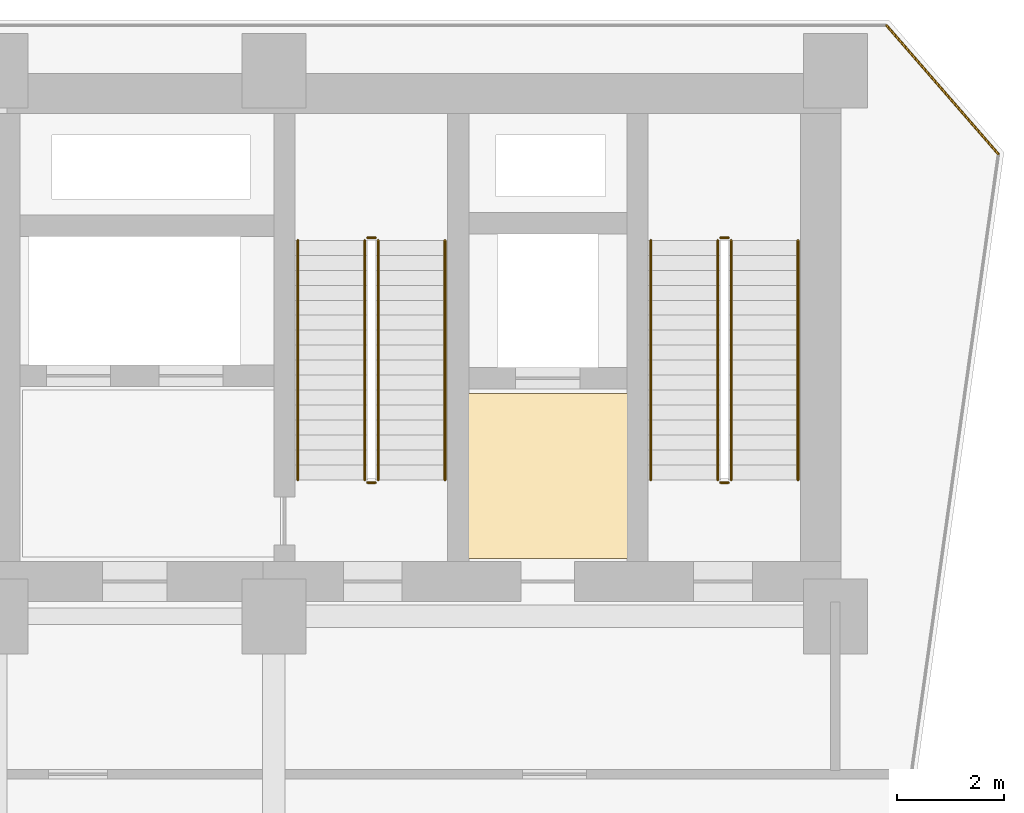
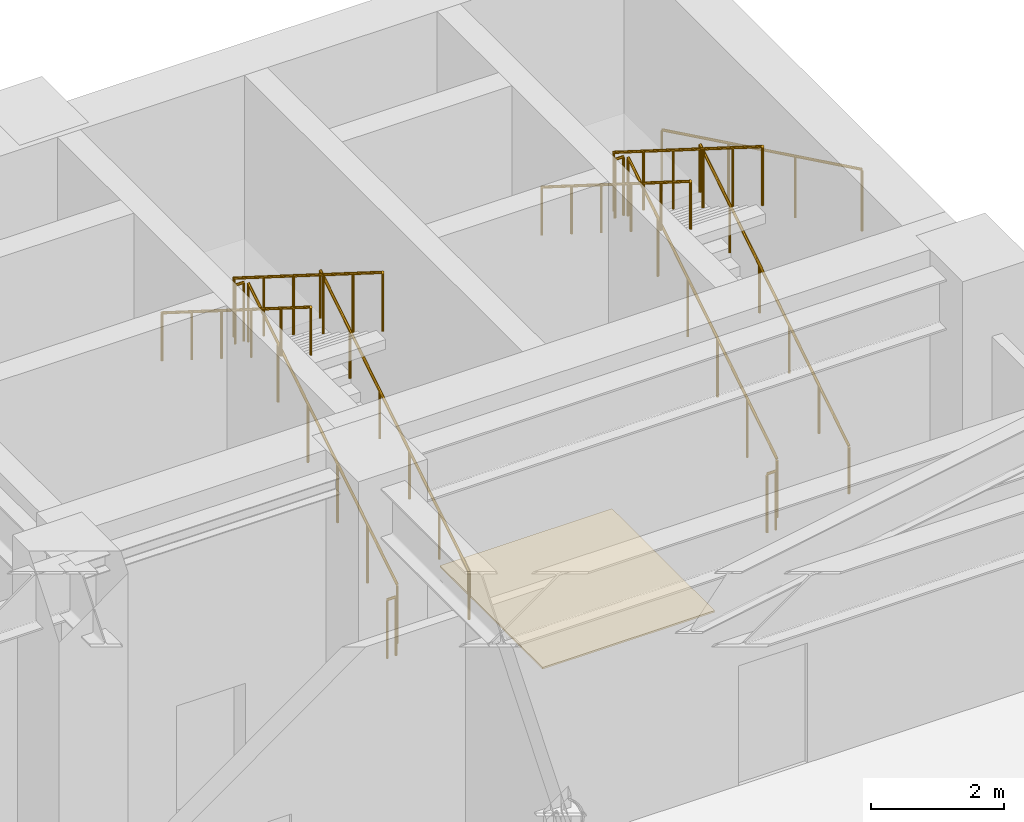
# One storey, part 12 of 12: 13 railings, 1 covering.
"""IFC4 building model written with IfcOpenShell, lengths in metres."""

from ifc_helpers import new_model, si_unit, direction, frame, origin, origin_2d, place, context, subcontext, project, spatial, polyline, circle, outline, extrude, material, layer, layer_set, type_object, element, save


model = new_model("IFC4")

# Units and contexts
model_context = context("Model", 3, precision=1e-05, world=origin(), true_north=direction((0.0, 1.0)))
body_context = subcontext(model_context, "Body", "Model", "MODEL_VIEW")
ifc_project = project(units=[si_unit("LENGTHUNIT", "METRE"), si_unit("AREAUNIT", "SQUARE_METRE"), si_unit("VOLUMEUNIT", "CUBIC_METRE"), si_unit("PLANEANGLEUNIT", "RADIAN"), si_unit("MASSUNIT", "GRAM", prefix="KILO")], contexts=[model_context])

# Site, building, storey
site_placement = place(None, origin())
site = spatial("IfcSite", under=ifc_project, at=site_placement, CompositionType="ELEMENT")
building_placement = place(site_placement, origin())
building = spatial("IfcBuilding", under=site, at=building_placement, Name="Kravanh Interchange Tower", CompositionType="ELEMENT")
storey_placement = place(building_placement, frame((0.0, 0.0, 85.5)))
storey = spatial("IfcBuildingStorey", under=building, at=storey_placement, Name="L20", CompositionType="ELEMENT", Elevation=85.5)

# Covering
ifc_material_1 = material(Name="Cementitious Terrazzo Tile")
ifc_layer_1 = layer(ifc_material_1, 0.030029296875)
ifc_layer_set_1 = layer_set([ifc_layer_1], Name="Honed Terrazzo Lobby Flooring 30mm")
covering_type = type_object("IfcCoveringType", Name="Honed Terrazzo Lobby Flooring 30mm", PredefinedType="FLOORING", material=ifc_layer_set_1)
covering_placement = place(storey_placement, origin())
element("IfcCovering", 1, at=covering_placement, inside=storey, type_object=covering_type, Name="L20 Service Lift Lobby Floor Finish", PredefinedType="FLOORING", context=body_context, shape_type="SweptSolid", body=[
    extrude(outline(polyline([(59.6298828125, 41.52001953125), (62.6201171875, 41.52001953125), (62.6201171875, 38.429931640625), (59.6298828125, 38.429931640625), (59.6298828125, 41.52001953125)])), origin(), (0.0, 0.0, 1.0), 0.030029296875),
])

# Railings
ifc_material_2 = material(Name="Structural Steel S355", Category="steel")
ifc_layer_2 = layer(ifc_material_2, 0.050048828125)
ifc_layer_set_2 = layer_set([ifc_layer_2], Name="Stair Well Guardrail Structural Steel S355 1100mm")
railing_type_1 = type_object("IfcRailingType", Name="Stair Well Guardrail Structural Steel S355 1100mm", PredefinedType="GUARDRAIL", material=ifc_layer_set_2)
railing_1_placement = place(storey_placement, frame((64.550048828125, 39.89990234375, 0.176513671875)))
element("IfcRailing", 2, at=railing_1_placement, inside=storey, type_object=railing_type_1, Name="L20 ST1 stair guard 1", PredefinedType="GUARDRAIL", context=body_context, shape_type="SweptSolid", body=[
    extrude(circle(Radius=0.02392578125, at=origin_2d()), frame((0.0, 0.0, 1.076171875), z_axis=(0.0, 0.845997938375, 0.533186166611), x_axis=(-1.0, 0.0, 0.0)), (0.0, 0.0, 1.0), 5.29541015625),
    extrude(circle(Radius=0.02099609375, at=origin_2d()), origin(), (0.0, 0.0, 1.0), 1.052001953125),
    extrude(circle(Radius=0.02099609375, at=origin_2d()), frame((0.0, 0.89599609375, 0.564697265625)), (0.0, 0.0, 1.0), 1.052001953125),
    extrude(circle(Radius=0.02099609375, at=origin_2d()), frame((0.0, 1.7919921875, 1.12939453125)), (0.0, 0.0, 1.0), 1.052001953125),
    extrude(circle(Radius=0.02099609375, at=origin_2d()), frame((0.0, 2.68798828125, 1.694091796875)), (0.0, 0.0, 1.0), 1.052001953125),
    extrude(circle(Radius=0.02099609375, at=origin_2d()), frame((0.0, 3.583984375, 2.2587890625)), (0.0, 0.0, 1.0), 1.052001953125),
    extrude(circle(Radius=0.02099609375, at=origin_2d()), frame((0.0, 4.47998046875, 2.823486328125)), (0.0, 0.0, 1.0), 1.052001953125),
])
railing_2_placement = place(storey_placement, frame((64.5, 44.429931640625, 3.0)))
element("IfcRailing", 3, at=railing_2_placement, inside=storey, type_object=railing_type_1, Name="L20 ST1 stair guard 2", PredefinedType="GUARDRAIL", context=body_context, shape_type="SweptSolid", body=[
    extrude(circle(Radius=0.02392578125, at=origin_2d()), frame((0.0, 0.0, 1.076171875), z_axis=(-1.0, 0.0, 0.0), x_axis=(0.0, -1.0, 0.0)), (0.0, 0.0, 1.0), 0.14990234375),
    extrude(circle(Radius=0.02099609375, at=origin_2d()), origin(), (0.0, 0.0, 1.0), 1.052001953125),
    extrude(circle(Radius=0.02099609375, at=origin_2d()), frame((-0.14990234375, 0.0, 0.0)), (0.0, 0.0, 1.0), 1.052001953125),
])
railing_3_placement = place(storey_placement, frame((64.300048828125, 44.3798828125, 3.176513671875)))
element("IfcRailing", 4, at=railing_3_placement, inside=storey, type_object=railing_type_1, Name="L20 ST1 stair guard 3", PredefinedType="GUARDRAIL", context=body_context, shape_type="SweptSolid", body=[
    extrude(circle(Radius=0.02392578125, at=origin_2d()), frame((0.0, 0.0, 1.076171875), z_axis=(0.0, -0.845997938375, 0.533186166611), x_axis=(1.0, 0.0, 0.0)), (0.0, 0.0, 1.0), 5.29541015625),
    extrude(circle(Radius=0.02099609375, at=origin_2d()), origin(), (0.0, 0.0, 1.0), 1.052001953125),
    extrude(circle(Radius=0.02099609375, at=origin_2d()), frame((0.0, -0.89599609375, 0.564697265625)), (0.0, 0.0, 1.0), 1.052001953125),
    extrude(circle(Radius=0.02099609375, at=origin_2d()), frame((0.0, -1.7919921875, 1.12939453125)), (0.0, 0.0, 1.0), 1.052001953125),
    extrude(circle(Radius=0.02099609375, at=origin_2d()), frame((0.0, -2.68798828125, 1.694091796875)), (0.0, 0.0, 1.0), 1.052001953125),
    extrude(circle(Radius=0.02099609375, at=origin_2d()), frame((0.0, -3.583984375, 2.2587890625)), (0.0, 0.0, 1.0), 1.052001953125),
    extrude(circle(Radius=0.02099609375, at=origin_2d()), frame((0.0, -4.47998046875, 2.823486328125)), (0.0, 0.0, 1.0), 1.052001953125),
])
railing_4_placement = place(storey_placement, frame((64.5, 39.85009765625, 0.0)))
element("IfcRailing", 5, at=railing_4_placement, inside=storey, type_object=railing_type_1, Name="L20 ST1 stair guard 4", PredefinedType="GUARDRAIL", context=body_context, shape_type="SweptSolid", body=[
    extrude(circle(Radius=0.02392578125, at=origin_2d()), frame((0.0, 0.0, 1.076171875), z_axis=(-1.0, 0.0, 0.0), x_axis=(0.0, -1.0, 0.0)), (0.0, 0.0, 1.0), 0.14990234375),
    extrude(circle(Radius=0.02099609375, at=origin_2d()), origin(), (0.0, 0.0, 1.0), 1.052001953125),
    extrude(circle(Radius=0.02099609375, at=origin_2d()), frame((-0.14990234375, 0.0, 0.0)), (0.0, 0.0, 1.0), 1.052001953125),
])
railing_5_placement = place(storey_placement, frame((57.949951171875, 39.89990234375, 0.176513671875)))
element("IfcRailing", 6, at=railing_5_placement, inside=storey, type_object=railing_type_1, Name="L20 ST2 stair guard 1", PredefinedType="GUARDRAIL", context=body_context, shape_type="SweptSolid", body=[
    extrude(circle(Radius=0.02392578125, at=origin_2d()), frame((0.0, 0.0, 1.076171875), z_axis=(0.0, 0.845997938375, 0.533186166611), x_axis=(-1.0, 0.0, 0.0)), (0.0, 0.0, 1.0), 5.29541015625),
    extrude(circle(Radius=0.02099609375, at=origin_2d()), origin(), (0.0, 0.0, 1.0), 1.052001953125),
    extrude(circle(Radius=0.02099609375, at=origin_2d()), frame((0.0, 0.89599609375, 0.564697265625)), (0.0, 0.0, 1.0), 1.052001953125),
    extrude(circle(Radius=0.02099609375, at=origin_2d()), frame((0.0, 1.7919921875, 1.12939453125)), (0.0, 0.0, 1.0), 1.052001953125),
    extrude(circle(Radius=0.02099609375, at=origin_2d()), frame((0.0, 2.68798828125, 1.694091796875)), (0.0, 0.0, 1.0), 1.052001953125),
    extrude(circle(Radius=0.02099609375, at=origin_2d()), frame((0.0, 3.583984375, 2.2587890625)), (0.0, 0.0, 1.0), 1.052001953125),
    extrude(circle(Radius=0.02099609375, at=origin_2d()), frame((0.0, 4.47998046875, 2.823486328125)), (0.0, 0.0, 1.0), 1.052001953125),
])
railing_6_placement = place(storey_placement, frame((57.89990234375, 44.429931640625, 3.0)))
element("IfcRailing", 7, at=railing_6_placement, inside=storey, type_object=railing_type_1, Name="L20 ST2 stair guard 2", PredefinedType="GUARDRAIL", context=body_context, shape_type="SweptSolid", body=[
    extrude(circle(Radius=0.02392578125, at=origin_2d()), frame((0.0, 0.0, 1.076171875), z_axis=(-1.0, 0.0, 0.0), x_axis=(0.0, -1.0, 0.0)), (0.0, 0.0, 1.0), 0.14990234375),
    extrude(circle(Radius=0.02099609375, at=origin_2d()), origin(), (0.0, 0.0, 1.0), 1.052001953125),
    extrude(circle(Radius=0.02099609375, at=origin_2d()), frame((-0.14990234375, 0.0, 0.0)), (0.0, 0.0, 1.0), 1.052001953125),
])
railing_7_placement = place(storey_placement, frame((57.699951171875, 44.3798828125, 3.176513671875)))
element("IfcRailing", 8, at=railing_7_placement, inside=storey, type_object=railing_type_1, Name="L20 ST2 stair guard 3", PredefinedType="GUARDRAIL", context=body_context, shape_type="SweptSolid", body=[
    extrude(circle(Radius=0.02392578125, at=origin_2d()), frame((0.0, 0.0, 1.076171875), z_axis=(0.0, -0.845997938375, 0.533186166611), x_axis=(1.0, 0.0, 0.0)), (0.0, 0.0, 1.0), 5.29541015625),
    extrude(circle(Radius=0.02099609375, at=origin_2d()), origin(), (0.0, 0.0, 1.0), 1.052001953125),
    extrude(circle(Radius=0.02099609375, at=origin_2d()), frame((0.0, -0.89599609375, 0.564697265625)), (0.0, 0.0, 1.0), 1.052001953125),
    extrude(circle(Radius=0.02099609375, at=origin_2d()), frame((0.0, -1.7919921875, 1.12939453125)), (0.0, 0.0, 1.0), 1.052001953125),
    extrude(circle(Radius=0.02099609375, at=origin_2d()), frame((0.0, -2.68798828125, 1.694091796875)), (0.0, 0.0, 1.0), 1.052001953125),
    extrude(circle(Radius=0.02099609375, at=origin_2d()), frame((0.0, -3.583984375, 2.2587890625)), (0.0, 0.0, 1.0), 1.052001953125),
    extrude(circle(Radius=0.02099609375, at=origin_2d()), frame((0.0, -4.47998046875, 2.823486328125)), (0.0, 0.0, 1.0), 1.052001953125),
])
railing_8_placement = place(storey_placement, frame((57.89990234375, 39.85009765625, 0.0)))
element("IfcRailing", 9, at=railing_8_placement, inside=storey, type_object=railing_type_1, Name="L20 ST2 stair guard 4", PredefinedType="GUARDRAIL", context=body_context, shape_type="SweptSolid", body=[
    extrude(circle(Radius=0.02392578125, at=origin_2d()), frame((0.0, 0.0, 1.076171875), z_axis=(-1.0, 0.0, 0.0), x_axis=(0.0, -1.0, 0.0)), (0.0, 0.0, 1.0), 0.14990234375),
    extrude(circle(Radius=0.02099609375, at=origin_2d()), origin(), (0.0, 0.0, 1.0), 1.052001953125),
    extrude(circle(Radius=0.02099609375, at=origin_2d()), frame((-0.14990234375, 0.0, 0.0)), (0.0, 0.0, 1.0), 1.052001953125),
])
ifc_material_3 = material(Name="Stainless Steel 304", Category="steel")
ifc_layer_3 = layer(ifc_material_3, 0.044921875)
ifc_layer_set_3 = layer_set([ifc_layer_3], Name="Tubular Stair Handrail Stainless 304 900mm")
railing_type_2 = type_object("IfcRailingType", Name="Tubular Stair Handrail Stainless 304 900mm", PredefinedType="HANDRAIL", material=ifc_layer_set_3)
railing_9_placement = place(storey_placement, frame((65.800048828125, 39.89990234375, 0.176513671875)))
element("IfcRailing", 10, at=railing_9_placement, inside=storey, type_object=railing_type_2, Name="L20 ST1 stair handrail 1", PredefinedType="HANDRAIL", context=body_context, shape_type="SweptSolid", body=[
    extrude(circle(Radius=0.02392578125, at=origin_2d()), frame((0.0, 0.0, 0.8759765625), z_axis=(0.0, 0.845997938375, 0.533186166611), x_axis=(-1.0, 0.0, 0.0)), (0.0, 0.0, 1.0), 5.29541015625),
    extrude(circle(Radius=0.02099609375, at=origin_2d()), origin(), (0.0, 0.0, 1.0), 0.851806640625),
    extrude(circle(Radius=0.02099609375, at=origin_2d()), frame((0.0, 0.89599609375, 0.564697265625)), (0.0, 0.0, 1.0), 0.851806640625),
    extrude(circle(Radius=0.02099609375, at=origin_2d()), frame((0.0, 1.7919921875, 1.12939453125)), (0.0, 0.0, 1.0), 0.851806640625),
    extrude(circle(Radius=0.02099609375, at=origin_2d()), frame((0.0, 2.68798828125, 1.694091796875)), (0.0, 0.0, 1.0), 0.851806640625),
    extrude(circle(Radius=0.02099609375, at=origin_2d()), frame((0.0, 3.583984375, 2.2587890625)), (0.0, 0.0, 1.0), 0.851806640625),
    extrude(circle(Radius=0.02099609375, at=origin_2d()), frame((0.0, 4.47998046875, 2.823486328125)), (0.0, 0.0, 1.0), 0.851806640625),
])
railing_10_placement = place(storey_placement, frame((63.050048828125, 44.3798828125, 3.176513671875)))
element("IfcRailing", 11, at=railing_10_placement, inside=storey, type_object=railing_type_2, Name="L20 ST1 stair handrail 2", PredefinedType="HANDRAIL", context=body_context, shape_type="SweptSolid", body=[
    extrude(circle(Radius=0.02392578125, at=origin_2d()), frame((0.0, 0.0, 0.8759765625), z_axis=(0.0, -0.845997938375, 0.533186166611), x_axis=(1.0, 0.0, 0.0)), (0.0, 0.0, 1.0), 5.29541015625),
    extrude(circle(Radius=0.02099609375, at=origin_2d()), origin(), (0.0, 0.0, 1.0), 0.851806640625),
    extrude(circle(Radius=0.02099609375, at=origin_2d()), frame((0.0, -0.89599609375, 0.564697265625)), (0.0, 0.0, 1.0), 0.851806640625),
    extrude(circle(Radius=0.02099609375, at=origin_2d()), frame((0.0, -1.7919921875, 1.12939453125)), (0.0, 0.0, 1.0), 0.851806640625),
    extrude(circle(Radius=0.02099609375, at=origin_2d()), frame((0.0, -2.68798828125, 1.694091796875)), (0.0, 0.0, 1.0), 0.851806640625),
    extrude(circle(Radius=0.02099609375, at=origin_2d()), frame((0.0, -3.583984375, 2.2587890625)), (0.0, 0.0, 1.0), 0.851806640625),
    extrude(circle(Radius=0.02099609375, at=origin_2d()), frame((0.0, -4.47998046875, 2.823486328125)), (0.0, 0.0, 1.0), 0.851806640625),
])
railing_11_placement = place(storey_placement, frame((59.199951171875, 39.89990234375, 0.176513671875)))
element("IfcRailing", 12, at=railing_11_placement, inside=storey, type_object=railing_type_2, Name="L20 ST2 stair handrail 1", PredefinedType="HANDRAIL", context=body_context, shape_type="SweptSolid", body=[
    extrude(circle(Radius=0.02392578125, at=origin_2d()), frame((0.0, 0.0, 0.8759765625), z_axis=(0.0, 0.845997938375, 0.533186166611), x_axis=(-1.0, 0.0, 0.0)), (0.0, 0.0, 1.0), 5.29541015625),
    extrude(circle(Radius=0.02099609375, at=origin_2d()), origin(), (0.0, 0.0, 1.0), 0.851806640625),
    extrude(circle(Radius=0.02099609375, at=origin_2d()), frame((0.0, 0.89599609375, 0.564697265625)), (0.0, 0.0, 1.0), 0.851806640625),
    extrude(circle(Radius=0.02099609375, at=origin_2d()), frame((0.0, 1.7919921875, 1.12939453125)), (0.0, 0.0, 1.0), 0.851806640625),
    extrude(circle(Radius=0.02099609375, at=origin_2d()), frame((0.0, 2.68798828125, 1.694091796875)), (0.0, 0.0, 1.0), 0.851806640625),
    extrude(circle(Radius=0.02099609375, at=origin_2d()), frame((0.0, 3.583984375, 2.2587890625)), (0.0, 0.0, 1.0), 0.851806640625),
    extrude(circle(Radius=0.02099609375, at=origin_2d()), frame((0.0, 4.47998046875, 2.823486328125)), (0.0, 0.0, 1.0), 0.851806640625),
])
railing_12_placement = place(storey_placement, frame((56.449951171875, 44.3798828125, 3.176513671875)))
element("IfcRailing", 13, at=railing_12_placement, inside=storey, type_object=railing_type_2, Name="L20 ST2 stair handrail 2", PredefinedType="HANDRAIL", context=body_context, shape_type="SweptSolid", body=[
    extrude(circle(Radius=0.02392578125, at=origin_2d()), frame((0.0, 0.0, 0.8759765625), z_axis=(0.0, -0.845997938375, 0.533186166611), x_axis=(1.0, 0.0, 0.0)), (0.0, 0.0, 1.0), 5.29541015625),
    extrude(circle(Radius=0.02099609375, at=origin_2d()), origin(), (0.0, 0.0, 1.0), 0.851806640625),
    extrude(circle(Radius=0.02099609375, at=origin_2d()), frame((0.0, -0.89599609375, 0.564697265625)), (0.0, 0.0, 1.0), 0.851806640625),
    extrude(circle(Radius=0.02099609375, at=origin_2d()), frame((0.0, -1.7919921875, 1.12939453125)), (0.0, 0.0, 1.0), 0.851806640625),
    extrude(circle(Radius=0.02099609375, at=origin_2d()), frame((0.0, -2.68798828125, 1.694091796875)), (0.0, 0.0, 1.0), 0.851806640625),
    extrude(circle(Radius=0.02099609375, at=origin_2d()), frame((0.0, -3.583984375, 2.2587890625)), (0.0, 0.0, 1.0), 0.851806640625),
    extrude(circle(Radius=0.02099609375, at=origin_2d()), frame((0.0, -4.47998046875, 2.823486328125)), (0.0, 0.0, 1.0), 0.851806640625),
])
ifc_material_4 = material(Name="Structural Steel S355", Category="steel")
ifc_layer_4 = layer(ifc_material_4, 0.070068359375)
ifc_layer_set_4 = layer_set([ifc_layer_4], Name="Wind Storey Perimeter Safety Guardrail Structural Steel S355 1150mm")
railing_type_3 = type_object("IfcRailingType", Name="Wind Storey Perimeter Safety Guardrail Structural Steel S355 1150mm", PredefinedType="GUARDRAIL", material=ifc_layer_set_4)
railing_13_placement = place(storey_placement, frame((67.454345703125, 48.39990234375, 0.0)))
element("IfcRailing", 14, at=railing_13_placement, inside=storey, type_object=railing_type_3, Name="L20 Open Wind Floor Perimeter Guardrail 4", PredefinedType="GUARDRAIL", context=body_context, shape_type="SweptSolid", body=[
    extrude(circle(Radius=0.02392578125, at=origin_2d()), frame((0.0, 0.0, 1.1259765625), z_axis=(0.656083941969, -0.754687922979, 0.0), x_axis=(0.754687922979, 0.656083941969, 0.0)), (0.0, 0.0, 1.0), 3.18896484375),
    extrude(circle(Radius=0.02099609375, at=origin_2d()), origin(), (0.0, 0.0, 1.0), 1.101806640625),
    extrude(circle(Radius=0.02099609375, at=origin_2d()), frame((0.697509765625, -0.80224609375, 0.0)), (0.0, 0.0, 1.0), 1.101806640625),
    extrude(circle(Radius=0.02099609375, at=origin_2d()), frame((1.394775390625, -1.6044921875, 0.0)), (0.0, 0.0, 1.0), 1.101806640625),
    extrude(circle(Radius=0.02099609375, at=origin_2d()), frame((2.09228515625, -2.40673828125, 0.0)), (0.0, 0.0, 1.0), 1.101806640625),
])

save(model, "model.ifc")
